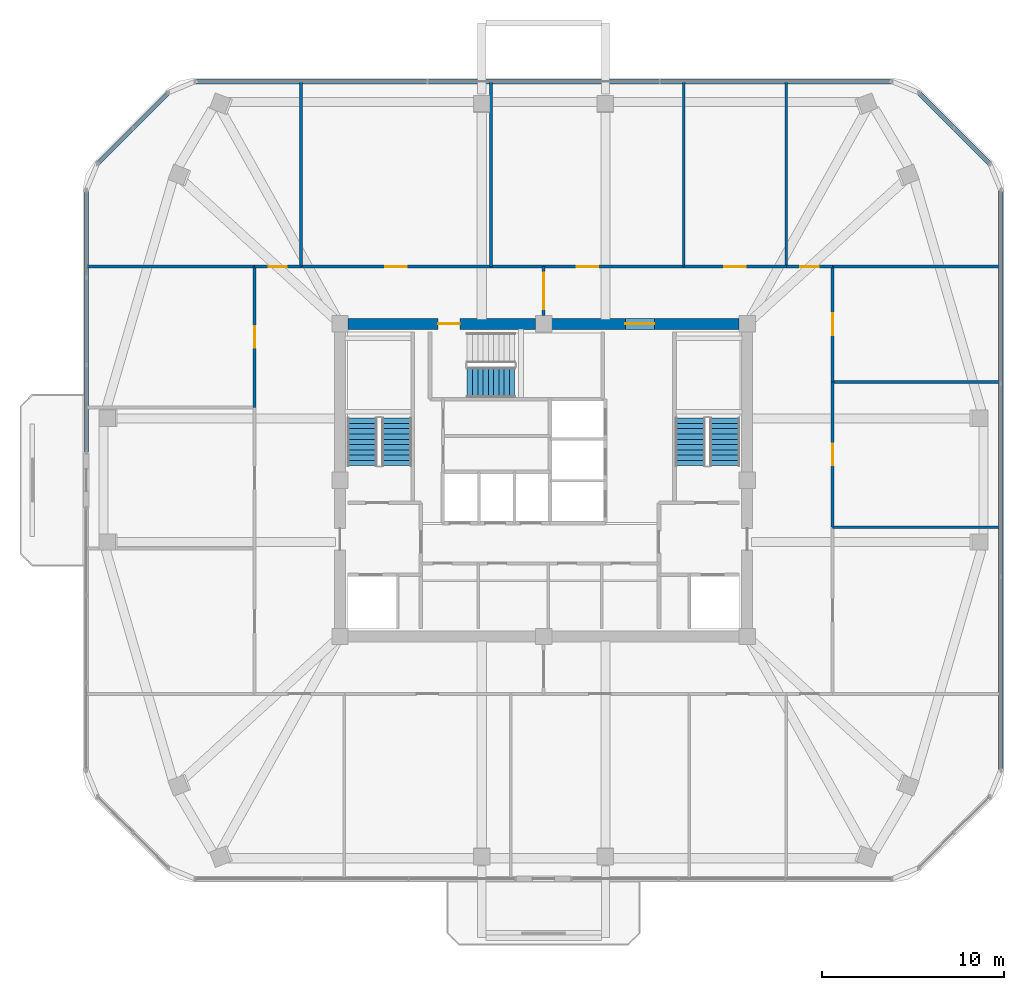
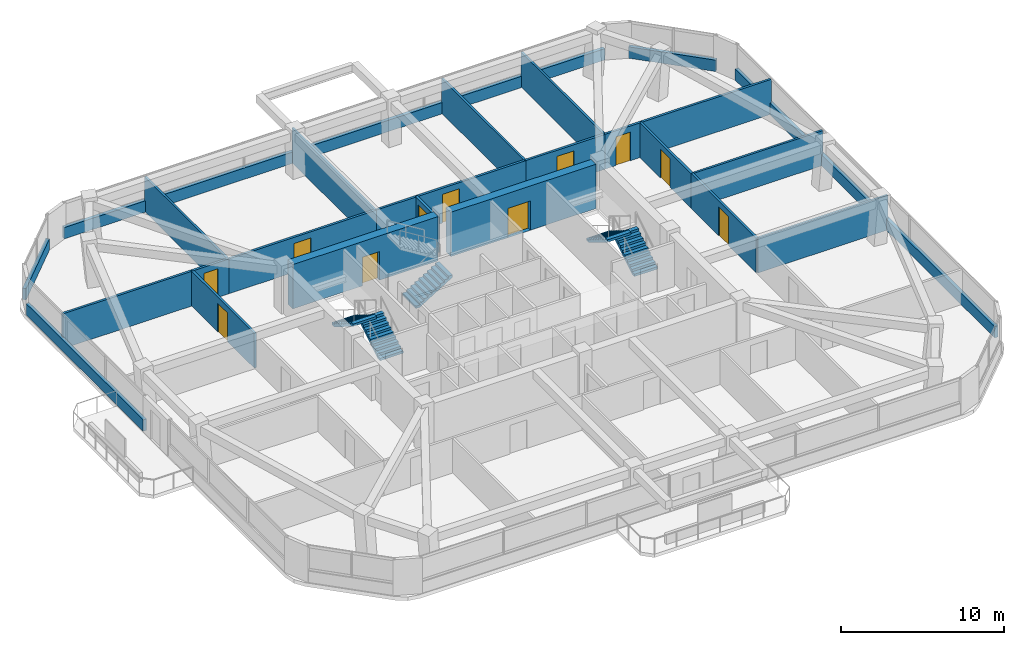
# One storey, part 10 of 13: 24 walls, 11 doors, 5 stair flights, 11 openings, 3 elements without a shape of their own.
"""IFC4 building model written with IfcOpenShell, lengths in metres."""

from ifc_helpers import new_model, si_unit, derived_unit, direction, frame, frame_2d, origin, place, context, subcontext, project, spatial, polyline, rectangle, outline, extrude, material, layer, layer_set, type_object, element, fill, aggregate, save


model = new_model("IFC4")

# Units and contexts
model_context = context("Model", 3, precision=1e-05, world=origin(), true_north=direction((0.0, 1.0)))
body_context = subcontext(model_context, "Body", "Model", "MODEL_VIEW")
ifc_project = project(units=[si_unit("LENGTHUNIT", "METRE"), si_unit("AREAUNIT", "SQUARE_METRE"), si_unit("VOLUMEUNIT", "CUBIC_METRE"), si_unit("PLANEANGLEUNIT", "RADIAN"), si_unit("MASSUNIT", "GRAM", prefix="KILO"), derived_unit("THERMALTRANSMITTANCEUNIT", [(si_unit("POWERUNIT", "WATT"), 1), (si_unit("LENGTHUNIT", "METRE"), -2), (si_unit("THERMODYNAMICTEMPERATUREUNIT", "KELVIN"), -1)])], contexts=[model_context])

# Site, building, storey
site_placement = place(None, origin())
site = spatial("IfcSite", under=ifc_project, at=site_placement, CompositionType="ELEMENT")
building_placement = place(site_placement, origin())
building = spatial("IfcBuilding", under=site, at=building_placement, Name="Koralith Skygarden Medical Center", CompositionType="ELEMENT")
storey_placement = place(building_placement, frame((0.0, 0.0, 199.97998046875)))
storey = spatial("IfcBuildingStorey", under=building, at=storey_placement, Name="L51", CompositionType="ELEMENT", Elevation=199.97998046875)

# Walls
ifc_material_1 = material(Name="Gypsum Board Partition")
ifc_layer_1 = layer(ifc_material_1, 0.14990234375)
ifc_layer_set_1 = layer_set([ifc_layer_1], Name="Gypsum Board Partition")
wall_type_1 = type_object("IfcWallType", Name="Clinical Acoustic Partition 150", PredefinedType="PARTITIONING", material=ifc_layer_set_1)
for number, where, z_axis, x_axis, name in (
    (1, (23.64990234375, 37.64990234375, 0.0), (0.0, 0.0, 1.0), (0.0, 1.0, 0.0), "L51 Clinical Acoustic Partition 150 W-PART-L51-N-01"),
    (2, (34.10693359375, 37.64990234375, 0.0), (0.0, 0.0, 1.0), (0.0, 1.0, 0.0), "L51 Clinical Acoustic Partition 150 W-PART-L51-N-02"),
    (3, (44.715087890625, 37.64990234375, 0.0), (0.0, 0.0, 1.0), (0.0, 1.0, 0.0), "L51 Clinical Acoustic Partition 150 W-PART-L51-N-03"),
    (4, (50.35009765625, 37.64990234375, 0.0), (0.0, 0.0, 1.0), (0.0, 1.0, 0.0), "L51 Clinical Acoustic Partition 150 W-PART-L51-N-04"),
):
    element("IfcWall", number, at=place(storey_placement, frame(where, z_axis=z_axis, x_axis=x_axis)), inside=storey, type_object=wall_type_1, Name=name, PredefinedType="PARTITIONING", context=body_context, shape_type="SweptSolid", body=[
        extrude(rectangle(XDim=10.156005859375, YDim=0.14990234375, at=frame_2d((5.078125, 0.0))), origin(), (0.0, 0.0, 1.0), 2.610107421875),
    ])
for number, where, z_axis, x_axis, name in (
    (5, (52.89990234375, 23.31494140625, 0.0), (0.0, 0.0, 1.0), (1.0, 0.0, 0.0), "L51 Clinical Acoustic Partition 150 W-PART-L51-E-01"),
    (6, (52.89990234375, 31.304931640625, 0.0), (0.0, 0.0, 1.0), (1.0, 0.0, 0.0), "L51 Clinical Acoustic Partition 150 W-PART-L51-E-02"),
):
    element("IfcWall", number, at=place(storey_placement, frame(where, z_axis=z_axis, x_axis=x_axis)), inside=storey, type_object=wall_type_1, Name=name, PredefinedType="PARTITIONING", context=body_context, shape_type="SweptSolid", body=[
        extrude(rectangle(XDim=9.22802734375, YDim=0.14990234375, at=frame_2d((4.614013671875, 0.0))), origin(), (0.0, 0.0, 1.0), 2.610107421875),
    ])
ifc_layer_2 = layer(ifc_material_1, 0.1650390625)
ifc_layer_set_2 = layer_set([ifc_layer_2], Name="Gypsum Board Partition")
wall_type_2 = type_object("IfcWallType", Name="Clinical Corridor Partition 165", PredefinedType="PARTITIONING", material=ifc_layer_set_2)
for number, where, z_axis, x_axis, name in (
    (7, (11.8720703125, 37.64990234375, 0.0), (0.0, 0.0, 1.0), (1.0, 0.0, 0.0), "L51 Clinical Corridor Partition 165 W-WB-L51-NW"),
    (8, (52.89990234375, 37.64990234375, 0.0), (0.0, 0.0, 1.0), (1.0, 0.0, 0.0), "L51 Clinical Corridor Partition 165 W-WB-L51-NE"),
):
    element("IfcWall", number, at=place(storey_placement, frame(where, z_axis=z_axis, x_axis=x_axis)), inside=storey, type_object=wall_type_2, Name=name, PredefinedType="PARTITIONING", context=body_context, shape_type="SweptSolid", body=[
        extrude(rectangle(XDim=9.22802734375, YDim=0.1650390625, at=frame_2d((4.614013671875, 0.0))), origin(), (0.0, 0.0, 1.0), 2.610107421875),
    ])

# Wall, opening, door
wall_1_placement = place(storey_placement, frame((21.10009765625, 37.64990234375, 0.0), z_axis=(0.0, 0.0, 1.0), x_axis=(1.0, 0.0, 0.0)))
wall_1 = element("IfcWall", 9, at=wall_1_placement, inside=storey, type_object=wall_type_2, Name="L51 Clinical Corridor Partition 165 W-CORR-L51-N-01", PredefinedType="PARTITIONING", context=body_context, shape_type="SweptSolid", body=[
    extrude(rectangle(XDim=2.5498046875, YDim=0.1650390625, at=frame_2d((1.27490234375, 0.0))), origin(), (0.0, 0.0, 1.0), 2.610107421875),
])
opening_1_placement = place(wall_1_placement, frame((0.77490234375, 0.0, 0.0)))
opening_1 = element("IfcOpeningElement", 10, at=opening_1_placement, cuts=wall_1, Name="Opening D-SUP", PredefinedType="OPENING", context=body_context, shape_type="SweptSolid", body=[
    extrude(rectangle(XDim=1.0, YDim=2.14990234375, at=frame_2d((0.5, 1.074951171875))), frame((0.0, 0.092529296875, 0.0), z_axis=(0.0, -1.0, 0.0), x_axis=(1.0, 0.0, 0.0)), (0.0, 0.0, 1.0), 0.18505859375),
])
ifc_material_2 = material(Name="Aluminium 6063-T6", Category="aluminium")
door_type_1 = type_object("IfcDoorType", Name="Clinical Support Door D-SUP 1000", OperationType="NOTDEFINED", PredefinedType="DOOR", material=ifc_material_2)
door_1_placement = place(opening_1_placement, origin())
door_1 = element("IfcDoor", 11, at=door_1_placement, inside=storey, type_object=door_type_1, Name="L51 Cardiology Fellows Office 01 Door", OperationType="SINGLE_SWING_RIGHT", OverallHeight=2.14990234375, OverallWidth=1.0, PredefinedType="DOOR", context=body_context, shape_type="SweptSolid", body=[
    extrude(rectangle(XDim=1.0, YDim=2.14990234375, at=frame_2d((0.5, 1.074951171875))), frame((0.0, 0.02490234375, 0.0), z_axis=(0.0, -1.0, 0.0), x_axis=(1.0, 0.0, 0.0)), (0.0, 0.0, 1.0), 0.050048828125),
])
fill(opening_1, door_1)

wall_2_placement = place(storey_placement, frame((23.64990234375, 37.64990234375, 0.0), z_axis=(0.0, 0.0, 1.0), x_axis=(1.0, 0.0, 0.0)))
wall_2 = element("IfcWall", 12, at=wall_2_placement, inside=storey, type_object=wall_type_2, Name="L51 Clinical Corridor Partition 165 W-CORR-L51-N-02", PredefinedType="PARTITIONING", context=body_context, shape_type="SweptSolid", body=[
    extrude(rectangle(XDim=10.45703125, YDim=0.1650390625, at=frame_2d((5.228515625, 0.0))), origin(), (0.0, 0.0, 1.0), 2.610107421875),
])
opening_2_placement = place(wall_2_placement, frame((4.62890625, 0.0, 0.0)))
opening_2 = element("IfcOpeningElement", 13, at=opening_2_placement, cuts=wall_2, Name="Opening D-CLN", PredefinedType="OPENING", context=body_context, shape_type="SweptSolid", body=[
    extrude(rectangle(XDim=1.199951171875, YDim=2.14990234375, at=frame_2d((0.60009765625, 1.074951171875))), frame((0.0, 0.092529296875, 0.0), z_axis=(0.0, -1.0, 0.0), x_axis=(1.0, 0.0, 0.0)), (0.0, 0.0, 1.0), 0.18505859375),
])
door_type_2 = type_object("IfcDoorType", Name="Clinical Corridor Door D-CLN 1200", OperationType="NOTDEFINED", PredefinedType="DOOR", material=ifc_material_2)
door_2_placement = place(opening_2_placement, origin())
door_2 = element("IfcDoor", 14, at=door_2_placement, inside=storey, type_object=door_type_2, Name="L51 Pacemaker Interrogation Exam Room 02 Door", OperationType="SINGLE_SWING_LEFT", OverallHeight=2.14990234375, OverallWidth=1.199951171875, PredefinedType="DOOR", context=body_context, shape_type="SweptSolid", body=[
    extrude(rectangle(XDim=1.199951171875, YDim=2.14990234375, at=frame_2d((0.60009765625, 1.074951171875))), frame((0.0, 0.02490234375, 0.0), z_axis=(0.0, -1.0, 0.0), x_axis=(1.0, 0.0, 0.0)), (0.0, 0.0, 1.0), 0.050048828125),
])
fill(opening_2, door_2)

wall_3_placement = place(storey_placement, frame((34.10693359375, 37.64990234375, 0.0), z_axis=(0.0, 0.0, 1.0), x_axis=(1.0, 0.0, 0.0)))
wall_3 = element("IfcWall", 15, at=wall_3_placement, inside=storey, type_object=wall_type_2, Name="L51 Clinical Corridor Partition 165 W-CORR-L51-N-03", PredefinedType="PARTITIONING", context=body_context, shape_type="SweptSolid", body=[
    extrude(rectangle(XDim=10.608154296875, YDim=0.1650390625, at=frame_2d((5.30419921875, 0.0))), origin(), (0.0, 0.0, 1.0), 2.610107421875),
])
opening_3_placement = place(wall_3_placement, frame((4.7041015625, 0.0, 0.0)))
opening_3 = element("IfcOpeningElement", 16, at=opening_3_placement, cuts=wall_3, Name="Opening D-CLN", PredefinedType="OPENING", context=body_context, shape_type="SweptSolid", body=[
    extrude(rectangle(XDim=1.199951171875, YDim=2.14990234375, at=frame_2d((0.60009765625, 1.074951171875))), frame((0.0, 0.092529296875, 0.0), z_axis=(0.0, -1.0, 0.0), x_axis=(1.0, 0.0, 0.0)), (0.0, 0.0, 1.0), 0.18505859375),
])
door_3_placement = place(opening_3_placement, origin())
door_3 = element("IfcDoor", 17, at=door_3_placement, inside=storey, type_object=door_type_2, Name="L51 Cardiac Stress Exercise Hall 03 Door", OperationType="SINGLE_SWING_RIGHT", OverallHeight=2.14990234375, OverallWidth=1.199951171875, PredefinedType="DOOR", context=body_context, shape_type="SweptSolid", body=[
    extrude(rectangle(XDim=1.199951171875, YDim=2.14990234375, at=frame_2d((0.60009765625, 1.074951171875))), frame((0.0, 0.02490234375, 0.0), z_axis=(0.0, -1.0, 0.0), x_axis=(1.0, 0.0, 0.0)), (0.0, 0.0, 1.0), 0.050048828125),
])
fill(opening_3, door_3)

wall_4_placement = place(storey_placement, frame((44.715087890625, 37.64990234375, 0.0), z_axis=(0.0, 0.0, 1.0), x_axis=(1.0, 0.0, 0.0)))
wall_4 = element("IfcWall", 18, at=wall_4_placement, inside=storey, type_object=wall_type_2, Name="L51 Clinical Corridor Partition 165 W-CORR-L51-N-04", PredefinedType="PARTITIONING", context=body_context, shape_type="SweptSolid", body=[
    extrude(rectangle(XDim=5.635009765625, YDim=0.1650390625, at=frame_2d((2.8173828125, 0.0))), origin(), (0.0, 0.0, 1.0), 2.610107421875),
])
opening_4_placement = place(wall_4_placement, frame((2.217041015625, 0.0, 0.0)))
opening_4 = element("IfcOpeningElement", 19, at=opening_4_placement, cuts=wall_4, Name="Opening D-CLN", PredefinedType="OPENING", context=body_context, shape_type="SweptSolid", body=[
    extrude(rectangle(XDim=1.199951171875, YDim=2.14990234375, at=frame_2d((0.60009765625, 1.074951171875))), frame((0.0, 0.092529296875, 0.0), z_axis=(0.0, -1.0, 0.0), x_axis=(1.0, 0.0, 0.0)), (0.0, 0.0, 1.0), 0.18505859375),
])
door_4_placement = place(opening_4_placement, origin())
door_4 = element("IfcDoor", 20, at=door_4_placement, inside=storey, type_object=door_type_2, Name="L51 Telemetry Holter Store 04 Door", OperationType="SINGLE_SWING_LEFT", OverallHeight=2.14990234375, OverallWidth=1.199951171875, PredefinedType="DOOR", context=body_context, shape_type="SweptSolid", body=[
    extrude(rectangle(XDim=1.199951171875, YDim=2.14990234375, at=frame_2d((0.60009765625, 1.074951171875))), frame((0.0, 0.02490234375, 0.0), z_axis=(0.0, -1.0, 0.0), x_axis=(1.0, 0.0, 0.0)), (0.0, 0.0, 1.0), 0.050048828125),
])
fill(opening_4, door_4)

wall_5_placement = place(storey_placement, frame((50.35009765625, 37.64990234375, 0.0), z_axis=(0.0, 0.0, 1.0), x_axis=(1.0, 0.0, 0.0)))
wall_5 = element("IfcWall", 21, at=wall_5_placement, inside=storey, type_object=wall_type_2, Name="L51 Clinical Corridor Partition 165 W-CORR-L51-N-05", PredefinedType="PARTITIONING", context=body_context, shape_type="SweptSolid", body=[
    extrude(rectangle(XDim=2.5498046875, YDim=0.1650390625, at=frame_2d((1.27490234375, 0.0))), origin(), (0.0, 0.0, 1.0), 2.610107421875),
])
opening_5_placement = place(wall_5_placement, frame((0.77490234375, 0.0, 0.0)))
opening_5 = element("IfcOpeningElement", 22, at=opening_5_placement, cuts=wall_5, Name="Opening D-SUP", PredefinedType="OPENING", context=body_context, shape_type="SweptSolid", body=[
    extrude(rectangle(XDim=1.0, YDim=2.14990234375, at=frame_2d((0.5, 1.074951171875))), frame((0.0, 0.092529296875, 0.0), z_axis=(0.0, -1.0, 0.0), x_axis=(1.0, 0.0, 0.0)), (0.0, 0.0, 1.0), 0.18505859375),
])
door_5_placement = place(opening_5_placement, origin())
door_5 = element("IfcDoor", 23, at=door_5_placement, inside=storey, type_object=door_type_1, Name="L51 Cardiology Fellows Office 05 Door", OperationType="SINGLE_SWING_RIGHT", OverallHeight=2.14990234375, OverallWidth=1.0, PredefinedType="DOOR", context=body_context, shape_type="SweptSolid", body=[
    extrude(rectangle(XDim=1.0, YDim=2.14990234375, at=frame_2d((0.5, 1.074951171875))), frame((0.0, 0.02490234375, 0.0), z_axis=(0.0, -1.0, 0.0), x_axis=(1.0, 0.0, 0.0)), (0.0, 0.0, 1.0), 0.050048828125),
])
fill(opening_5, door_5)

wall_6_placement = place(storey_placement, frame((21.10009765625, 29.89501953125, 0.0), z_axis=(0.0, 0.0, 1.0), x_axis=(0.0, 1.0, 0.0)))
wall_6 = element("IfcWall", 24, at=wall_6_placement, inside=storey, type_object=wall_type_2, Name="L51 Clinical Corridor Partition 165 W-CORR-L51-W-03", PredefinedType="PARTITIONING", context=body_context, shape_type="SweptSolid", body=[
    extrude(rectangle(XDim=7.7548828125, YDim=0.1650390625, at=frame_2d((3.87744140625, 0.0))), origin(), (0.0, 0.0, 1.0), 2.610107421875),
])
opening_6_placement = place(wall_6_placement, frame((3.277099609375, 0.0, 0.0)))
opening_6 = element("IfcOpeningElement", 25, at=opening_6_placement, cuts=wall_6, Name="Opening D-CLN", PredefinedType="OPENING", context=body_context, shape_type="SweptSolid", body=[
    extrude(rectangle(XDim=1.199951171875, YDim=2.14990234375, at=frame_2d((0.60009765625, 1.074951171875))), frame((0.0, 0.092529296875, 0.0), z_axis=(0.0, -1.0, 0.0), x_axis=(1.0, 0.0, 0.0)), (0.0, 0.0, 1.0), 0.18505859375),
])
door_6_placement = place(opening_6_placement, frame((1.199951171875, 0.0, 0.0), z_axis=(0.0, 0.0, 1.0), x_axis=(-1.0, 0.0, 0.0)))
door_6 = element("IfcDoor", 26, at=door_6_placement, inside=storey, type_object=door_type_2, Name="L51 Cardiac Stress Exercise Hall 13 Door", OperationType="SINGLE_SWING_RIGHT", OverallHeight=2.14990234375, OverallWidth=1.199951171875, PredefinedType="DOOR", context=body_context, shape_type="SweptSolid", body=[
    extrude(rectangle(XDim=1.199951171875, YDim=2.14990234375, at=frame_2d((0.60009765625, 1.074951171875))), frame((0.0, 0.02490234375, 0.0), z_axis=(0.0, -1.0, 0.0), x_axis=(1.0, 0.0, 0.0)), (0.0, 0.0, 1.0), 0.050048828125),
])
fill(opening_6, door_6)

wall_7_placement = place(storey_placement, frame((52.89990234375, 23.31494140625, 0.0), z_axis=(0.0, 0.0, 1.0), x_axis=(0.0, 1.0, 0.0)))
wall_7 = element("IfcWall", 27, at=wall_7_placement, inside=storey, type_object=wall_type_2, Name="L51 Clinical Corridor Partition 165 W-CORR-L51-E-02", PredefinedType="PARTITIONING", context=body_context, shape_type="SweptSolid", body=[
    extrude(rectangle(XDim=7.989990234375, YDim=0.1650390625, at=frame_2d((3.9951171875, 0.0))), origin(), (0.0, 0.0, 1.0), 2.610107421875),
])
opening_7_placement = place(wall_7_placement, frame((3.39501953125, 0.0, 0.0)))
opening_7 = element("IfcOpeningElement", 28, at=opening_7_placement, cuts=wall_7, Name="Opening D-CLN", PredefinedType="OPENING", context=body_context, shape_type="SweptSolid", body=[
    extrude(rectangle(XDim=1.199951171875, YDim=2.14990234375, at=frame_2d((0.60009765625, 1.074951171875))), frame((0.0, 0.092529296875, 0.0), z_axis=(0.0, -1.0, 0.0), x_axis=(1.0, 0.0, 0.0)), (0.0, 0.0, 1.0), 0.18505859375),
])
door_7_placement = place(opening_7_placement, origin())
door_7 = element("IfcDoor", 29, at=door_7_placement, inside=storey, type_object=door_type_2, Name="L51 Cardiology Fellows Office 15 Door", OperationType="SINGLE_SWING_RIGHT", OverallHeight=2.14990234375, OverallWidth=1.199951171875, PredefinedType="DOOR", context=body_context, shape_type="SweptSolid", body=[
    extrude(rectangle(XDim=1.199951171875, YDim=2.14990234375, at=frame_2d((0.60009765625, 1.074951171875))), frame((0.0, 0.02490234375, 0.0), z_axis=(0.0, -1.0, 0.0), x_axis=(1.0, 0.0, 0.0)), (0.0, 0.0, 1.0), 0.050048828125),
])
fill(opening_7, door_7)

wall_8_placement = place(storey_placement, frame((52.89990234375, 31.304931640625, 0.0), z_axis=(0.0, 0.0, 1.0), x_axis=(0.0, 1.0, 0.0)))
wall_8 = element("IfcWall", 30, at=wall_8_placement, inside=storey, type_object=wall_type_2, Name="L51 Clinical Corridor Partition 165 W-CORR-L51-E-03", PredefinedType="PARTITIONING", context=body_context, shape_type="SweptSolid", body=[
    extrude(rectangle(XDim=6.344970703125, YDim=0.1650390625, at=frame_2d((3.17236328125, 0.0))), origin(), (0.0, 0.0, 1.0), 2.610107421875),
])
opening_8_placement = place(wall_8_placement, frame((2.572021484375, 0.0, 0.0)))
opening_8 = element("IfcOpeningElement", 31, at=opening_8_placement, cuts=wall_8, Name="Opening D-CLN", PredefinedType="OPENING", context=body_context, shape_type="SweptSolid", body=[
    extrude(rectangle(XDim=1.199951171875, YDim=2.14990234375, at=frame_2d((0.60009765625, 1.074951171875))), frame((0.0, 0.092529296875, 0.0), z_axis=(0.0, -1.0, 0.0), x_axis=(1.0, 0.0, 0.0)), (0.0, 0.0, 1.0), 0.18505859375),
])
door_8_placement = place(opening_8_placement, origin())
door_8 = element("IfcDoor", 32, at=door_8_placement, inside=storey, type_object=door_type_2, Name="L51 Pacemaker Interrogation Exam Room 16 Door", OperationType="SINGLE_SWING_LEFT", OverallHeight=2.14990234375, OverallWidth=1.199951171875, PredefinedType="DOOR", context=body_context, shape_type="SweptSolid", body=[
    extrude(rectangle(XDim=1.199951171875, YDim=2.14990234375, at=frame_2d((0.60009765625, 1.074951171875))), frame((0.0, 0.02490234375, 0.0), z_axis=(0.0, -1.0, 0.0), x_axis=(1.0, 0.0, 0.0)), (0.0, 0.0, 1.0), 0.050048828125),
])
fill(opening_8, door_8)

ifc_layer_3 = layer(ifc_material_1, 0.179931640625)
ifc_layer_set_3 = layer_set([ifc_layer_3], Name="Gypsum Board Partition")
wall_type_3 = type_object("IfcWallType", Name="Group I-2 Smoke Barrier Wall 180", PredefinedType="PARTITIONING", material=ifc_layer_set_3)
wall_9_placement = place(storey_placement, frame((37.0, 34.949951171875, 0.0), z_axis=(0.0, 0.0, 1.0), x_axis=(0.0, 1.0, 0.0)))
wall_9 = element("IfcWall", 33, at=wall_9_placement, inside=storey, type_object=wall_type_3, Name="L51 Group I-2 Smoke Barrier Wall 180 W-SMK-L51-N", PredefinedType="PARTITIONING", context=body_context, shape_type="SweptSolid", body=[
    extrude(rectangle(XDim=2.699951171875, YDim=0.179931640625, at=frame_2d((1.35009765625, 0.0))), origin(), (0.0, 0.0, 1.0), 2.610107421875),
])
opening_9_placement = place(wall_9_placement, frame((0.35009765625, 0.0, 0.0)))
opening_9 = element("IfcOpeningElement", 34, at=opening_9_placement, cuts=wall_9, Name="Opening D-SMK", PredefinedType="OPENING", context=body_context, shape_type="SweptSolid", body=[
    extrude(rectangle(XDim=2.0, YDim=2.199951171875, at=frame_2d((1.0, 1.10009765625))), frame((0.0, 0.099853515625, 0.0), z_axis=(0.0, -1.0, 0.0), x_axis=(1.0, 0.0, 0.0)), (0.0, 0.0, 1.0), 0.199951171875),
])
ifc_material_3 = material(Name="Steel ASTM A500 Grade C", Category="steel")
door_type_3 = type_object("IfcDoorType", Name="Cross-Corridor Double Smoke Door FD60S 2000", OperationType="NOTDEFINED", PredefinedType="DOOR", material=ifc_material_3)
door_9_placement = place(opening_9_placement, origin())
door_9 = element("IfcDoor", 35, at=door_9_placement, inside=storey, type_object=door_type_3, Name="L51 N Smoke Compartment Cross-Corridor Door", OperationType="DOUBLE_DOOR_SINGLE_SWING", OverallHeight=2.199951171875, OverallWidth=2.0, PredefinedType="DOOR", context=body_context, shape_type="SweptSolid", body=[
    extrude(rectangle(XDim=2.0, YDim=2.199951171875, at=frame_2d((1.0, 1.10009765625))), frame((0.0, 0.02490234375, 0.0), z_axis=(0.0, -1.0, 0.0), x_axis=(1.0, 0.0, 0.0)), (0.0, 0.0, 1.0), 0.050048828125),
])
fill(opening_9, door_9)

# Walls
ifc_material_4 = material(Name="Warm Oolitic Limestone Cladding", Category="masonry")
ifc_layer_4 = layer(ifc_material_4, 0.239990234375)
ifc_layer_set_4 = layer_set([ifc_layer_4], Name="Warm Oolitic Limestone Cladding")
wall_type_4 = type_object("IfcWallType", Name="Limestone Spandrel Sill Backup Wall 240", PredefinedType="SOLIDWALL", material=ifc_layer_set_4)
wall_10_placement = place(storey_placement, frame((62.14794921875, 9.948974609375, 0.0), z_axis=(0.0, 0.0, 1.0), x_axis=(0.0, 1.0, 0.0)))
element("IfcWall", 36, at=wall_10_placement, inside=storey, type_object=wall_type_4, Name="L51 Sill Spandrel E", PredefinedType="SOLIDWALL", context=body_context, shape_type="SweptSolid", body=[
    extrude(rectangle(XDim=31.902099609375, YDim=0.239990234375, at=frame_2d((15.951171875, 0.0))), origin(), (0.0, 0.0, 1.0), 0.85009765625),
])
wall_11_placement = place(storey_placement, frame((61.547119140625, 43.302001953125, 0.0), z_axis=(0.0, 0.0, 1.0), x_axis=(-0.707106781187, 0.707106781187, 0.0)))
element("IfcWall", 37, at=wall_11_placement, inside=storey, type_object=wall_type_4, Name="L51 Sill Spandrel NE", PredefinedType="SOLIDWALL", context=body_context, shape_type="SweptSolid", body=[
    extrude(rectangle(XDim=5.548095703125, YDim=0.239990234375, at=frame_2d((2.77392578125, 0.0))), origin(), (0.0, 0.0, 1.0), 0.85009765625),
])
wall_12_placement = place(storey_placement, frame((56.173095703125, 47.825927734375, 0.0), z_axis=(0.0, 0.0, 1.0), x_axis=(-1.0, 0.0, 0.0)))
element("IfcWall", 38, at=wall_12_placement, inside=storey, type_object=wall_type_4, Name="L51 Sill Spandrel N", PredefinedType="SOLIDWALL", context=body_context, shape_type="SweptSolid", body=[
    extrude(rectangle(XDim=38.34619140625, YDim=0.239990234375, at=frame_2d((19.173095703125, 0.0))), origin(), (0.0, 0.0, 1.0), 0.85009765625),
])
wall_13_placement = place(storey_placement, frame((16.3759765625, 47.22509765625, 0.0), z_axis=(0.0, 0.0, 1.0), x_axis=(-0.707106781187, -0.707106781187, 0.0)))
element("IfcWall", 39, at=wall_13_placement, inside=storey, type_object=wall_type_4, Name="L51 Sill Spandrel NW", PredefinedType="SOLIDWALL", context=body_context, shape_type="SweptSolid", body=[
    extrude(rectangle(XDim=5.548095703125, YDim=0.239990234375, at=frame_2d((2.77392578125, 0.0))), origin(), (0.0, 0.0, 1.0), 0.85009765625),
])
wall_14_placement = place(storey_placement, frame((11.85205078125, 41.85107421875, 0.0), z_axis=(0.0, 0.0, 1.0), x_axis=(0.0, -1.0, 0.0)))
element("IfcWall", 40, at=wall_14_placement, inside=storey, type_object=wall_type_4, Name="L51 Sill Spandrel W-L", PredefinedType="SOLIDWALL", context=body_context, shape_type="SweptSolid", body=[
    extrude(rectangle(XDim=14.41015625, YDim=0.239990234375, at=frame_2d((7.205078125, 0.0))), origin(), (0.0, 0.0, 1.0), 0.85009765625),
])

# Wall, opening, door
ifc_material_5 = material(Name="Concrete C55/67", Category="concrete")
ifc_layer_5 = layer(ifc_material_5, 0.60009765625)
ifc_layer_set_5 = layer_set([ifc_layer_5], Name="Concrete C55/67")
wall_type_5 = type_object("IfcWallType", Name="Upper Core Shear Wall 600", PredefinedType="SHEAR", material=ifc_layer_set_5)
wall_15_placement = place(storey_placement, frame((47.7548828125, 34.5, 0.0), z_axis=(0.0, 0.0, 1.0), x_axis=(-1.0, 0.0, 0.0)))
wall_15 = element("IfcWall", 41, at=wall_15_placement, inside=storey, type_object=wall_type_5, Name="L51 Core Shear Wall Segment 5", PredefinedType="SHEAR", context=body_context, shape_type="SweptSolid", body=[
    extrude(rectangle(XDim=10.309814453125, YDim=0.60009765625, at=frame_2d((5.15478515625, 0.0))), origin(), (0.0, 0.0, 1.0), 3.320068359375),
])
opening_10_placement = place(wall_15_placement, frame((4.655029296875, 0.0, 0.0)))
opening_10 = element("IfcOpeningElement", 42, at=opening_10_placement, cuts=wall_15, Name="Opening D-DBL", PredefinedType="OPENING", context=body_context, shape_type="SweptSolid", body=[
    extrude(rectangle(XDim=1.60009765625, YDim=2.199951171875, at=frame_2d((0.800048828125, 1.10009765625))), frame((0.0, 0.31005859375, 0.0), z_axis=(0.0, -1.0, 0.0), x_axis=(1.0, 0.0, 0.0)), (0.0, 0.0, 1.0), 0.6201171875),
])
door_type_4 = type_object("IfcDoorType", Name="Double Clinical Suite Door D-DBL 1600", OperationType="NOTDEFINED", PredefinedType="DOOR", material=ifc_material_2)
door_10_placement = place(opening_10_placement, frame((1.60009765625, 0.0, 0.0), z_axis=(0.0, 0.0, 1.0), x_axis=(-1.0, 0.0, 0.0)))
door_10 = element("IfcDoor", 43, at=door_10_placement, inside=storey, type_object=door_type_4, Name="L51 North-East Corridor to Elevator Lobby Door", OperationType="DOUBLE_DOOR_SINGLE_SWING", OverallHeight=2.199951171875, OverallWidth=1.60009765625, PredefinedType="DOOR", context=body_context, shape_type="SweptSolid", body=[
    extrude(rectangle(XDim=1.60009765625, YDim=2.199951171875, at=frame_2d((0.800048828125, 1.10009765625))), frame((0.0, 0.02490234375, 0.0), z_axis=(0.0, -1.0, 0.0), x_axis=(1.0, 0.0, 0.0)), (0.0, 0.0, 1.0), 0.050048828125),
])
fill(opening_10, door_10)

wall_16_placement = place(storey_placement, frame((36.554931640625, 34.5, 0.0), z_axis=(0.0, 0.0, 1.0), x_axis=(-1.0, 0.0, 0.0)))
wall_16 = element("IfcWall", 44, at=wall_16_placement, inside=storey, type_object=wall_type_5, Name="L51 Core Shear Wall Segment 6", PredefinedType="SHEAR", context=body_context, shape_type="SweptSolid", body=[
    extrude(rectangle(XDim=10.309814453125, YDim=0.60009765625, at=frame_2d((5.15478515625, 0.0))), origin(), (0.0, 0.0, 1.0), 3.320068359375),
])
opening_11_placement = place(wall_16_placement, frame((4.155029296875, 0.0, 0.0)))
opening_11 = element("IfcOpeningElement", 45, at=opening_11_placement, cuts=wall_16, Name="Opening D-ST60", PredefinedType="OPENING", context=body_context, shape_type="SweptSolid", body=[
    extrude(rectangle(XDim=1.199951171875, YDim=2.14990234375, at=frame_2d((0.60009765625, 1.074951171875))), frame((0.0, 0.31005859375, 0.0), z_axis=(0.0, -1.0, 0.0), x_axis=(1.0, 0.0, 0.0)), (0.0, 0.0, 1.0), 0.6201171875),
])
door_type_5 = type_object("IfcDoorType", Name="Smokeproof Stair Fire Door FD60S 1200", OperationType="NOTDEFINED", PredefinedType="DOOR", material=ifc_material_3)
door_11_placement = place(opening_11_placement, frame((1.199951171875, 0.0, 0.0), z_axis=(0.0, 0.0, 1.0), x_axis=(-1.0, 0.0, 0.0)))
door_11 = element("IfcDoor", 46, at=door_11_placement, inside=storey, type_object=door_type_5, Name="L51 Exit Stair ST3 Fire Door", OperationType="SINGLE_SWING_LEFT", OverallHeight=2.14990234375, OverallWidth=1.199951171875, PredefinedType="DOOR", context=body_context, shape_type="SweptSolid", body=[
    extrude(rectangle(XDim=1.199951171875, YDim=2.14990234375, at=frame_2d((0.60009765625, 1.074951171875))), frame((0.0, 0.02490234375, 0.0), z_axis=(0.0, -1.0, 0.0), x_axis=(1.0, 0.0, 0.0)), (0.0, 0.0, 1.0), 0.050048828125),
])
fill(opening_11, door_11)

# Stair, stair flights
ifc_material_6 = material(Name="Concrete C45/55", Category="concrete")
stair_type = type_object("IfcStairType", Name="Core Exit Dogleg Concrete Stair", PredefinedType="HALF_TURN_STAIR", material=ifc_material_6)
stair_1_placement = place(storey_placement, origin())
stair_1 = element("IfcStair", 47, at=stair_1_placement, inside=storey, type_object=stair_type, Name="L51 Smokeproof Exit Stair ST1", PredefinedType="HALF_TURN_STAIR")
stair_flight_type = type_object("IfcStairFlightType", Name="Core Exit Concrete Stair Flight 1650", PredefinedType="STRAIGHT", material=ifc_material_6)
stair_flight_1_placement = place(storey_placement, frame((28.925048828125, 26.699951171875, 0.0), z_axis=(0.0, 0.0, 1.0), x_axis=(0.0, 1.0, 0.0)))
stair_flight_1 = element("IfcStairFlight", 48, at=stair_flight_1_placement, type_object=stair_flight_type, Name="ST1 flight 1", NumberOfRisers=10, NumberOfTreads=9, PredefinedType="STRAIGHT", RiserHeight=0.18, TreadLength=0.29, context=body_context, shape_type="SweptSolid", body=[
    extrude(outline(polyline([(0.0, 0.0), (0.0, 0.179931640625), (0.2900390625, 0.179931640625), (0.2900390625, 0.360107421875), (0.580078125, 0.360107421875), (0.580078125, 0.5400390625), (0.8701171875, 0.5400390625), (0.8701171875, 0.719970703125), (1.159912109375, 0.719970703125), (1.159912109375, 0.89990234375), (1.449951171875, 0.89990234375), (1.449951171875, 1.080078125), (1.739990234375, 1.080078125), (1.739990234375, 1.260009765625), (2.030029296875, 1.260009765625), (2.030029296875, 1.43994140625), (2.320068359375, 1.43994140625), (2.320068359375, 1.6201171875), (2.610107421875, 1.6201171875), (2.610107421875, 1.800048828125), (2.610107421875, 1.443603515625), (0.2841796875, 0.0), (0.0, 0.0)])), frame((0.0, 0.824951171875, 0.0), z_axis=(0.0, -1.0, 0.0), x_axis=(1.0, 0.0, 0.0)), (0.0, 0.0, 1.0), 1.64990234375),
])
stair_flight_2_placement = place(storey_placement, frame((27.02490234375, 29.31005859375, 1.800048828125), z_axis=(0.0, 0.0, 1.0), x_axis=(0.0, -1.0, 0.0)))
stair_flight_2 = element("IfcStairFlight", 49, at=stair_flight_2_placement, type_object=stair_flight_type, Name="ST1 flight 2", NumberOfRisers=10, NumberOfTreads=9, PredefinedType="STRAIGHT", RiserHeight=0.18, TreadLength=0.29, context=body_context, shape_type="SweptSolid", body=[
    extrude(outline(polyline([(0.0, 0.0), (0.0, 0.179931640625), (0.2900390625, 0.179931640625), (0.2900390625, 0.360107421875), (0.580078125, 0.360107421875), (0.580078125, 0.5400390625), (0.8701171875, 0.5400390625), (0.8701171875, 0.719970703125), (1.159912109375, 0.719970703125), (1.159912109375, 0.89990234375), (1.449951171875, 0.89990234375), (1.449951171875, 1.080078125), (1.739990234375, 1.080078125), (1.739990234375, 1.260009765625), (2.030029296875, 1.260009765625), (2.030029296875, 1.43994140625), (2.320068359375, 1.43994140625), (2.320068359375, 1.6201171875), (2.610107421875, 1.6201171875), (2.610107421875, 1.800048828125), (2.610107421875, 1.443603515625), (0.2841796875, 0.0), (0.0, 0.0)])), frame((0.0, 0.824951171875, 0.0), z_axis=(0.0, -1.0, 0.0), x_axis=(1.0, 0.0, 0.0)), (0.0, 0.0, 1.0), 1.64990234375),
])
aggregate(stair_1, [stair_flight_1, stair_flight_2])

stair_2_placement = place(storey_placement, origin())
stair_2 = element("IfcStair", 50, at=stair_2_placement, inside=storey, type_object=stair_type, Name="L51 Smokeproof Exit Stair ST2", PredefinedType="HALF_TURN_STAIR")
stair_flight_3_placement = place(storey_placement, frame((46.97509765625, 26.699951171875, 0.0), z_axis=(0.0, 0.0, 1.0), x_axis=(0.0, 1.0, 0.0)))
stair_flight_3 = element("IfcStairFlight", 51, at=stair_flight_3_placement, type_object=stair_flight_type, Name="ST2 flight 1", NumberOfRisers=10, NumberOfTreads=9, PredefinedType="STRAIGHT", RiserHeight=0.18, TreadLength=0.29, context=body_context, shape_type="SweptSolid", body=[
    extrude(outline(polyline([(0.0, 0.0), (0.0, 0.179931640625), (0.2900390625, 0.179931640625), (0.2900390625, 0.360107421875), (0.580078125, 0.360107421875), (0.580078125, 0.5400390625), (0.8701171875, 0.5400390625), (0.8701171875, 0.719970703125), (1.159912109375, 0.719970703125), (1.159912109375, 0.89990234375), (1.449951171875, 0.89990234375), (1.449951171875, 1.080078125), (1.739990234375, 1.080078125), (1.739990234375, 1.260009765625), (2.030029296875, 1.260009765625), (2.030029296875, 1.43994140625), (2.320068359375, 1.43994140625), (2.320068359375, 1.6201171875), (2.610107421875, 1.6201171875), (2.610107421875, 1.800048828125), (2.610107421875, 1.443603515625), (0.2841796875, 0.0), (0.0, 0.0)])), frame((0.0, 0.824951171875, 0.0), z_axis=(0.0, -1.0, 0.0), x_axis=(1.0, 0.0, 0.0)), (0.0, 0.0, 1.0), 1.64990234375),
])
stair_flight_4_placement = place(storey_placement, frame((45.074951171875, 29.31005859375, 1.800048828125), z_axis=(0.0, 0.0, 1.0), x_axis=(0.0, -1.0, 0.0)))
stair_flight_4 = element("IfcStairFlight", 52, at=stair_flight_4_placement, type_object=stair_flight_type, Name="ST2 flight 2", NumberOfRisers=10, NumberOfTreads=9, PredefinedType="STRAIGHT", RiserHeight=0.18, TreadLength=0.29, context=body_context, shape_type="SweptSolid", body=[
    extrude(outline(polyline([(0.0, 0.0), (0.0, 0.179931640625), (0.2900390625, 0.179931640625), (0.2900390625, 0.360107421875), (0.580078125, 0.360107421875), (0.580078125, 0.5400390625), (0.8701171875, 0.5400390625), (0.8701171875, 0.719970703125), (1.159912109375, 0.719970703125), (1.159912109375, 0.89990234375), (1.449951171875, 0.89990234375), (1.449951171875, 1.080078125), (1.739990234375, 1.080078125), (1.739990234375, 1.260009765625), (2.030029296875, 1.260009765625), (2.030029296875, 1.43994140625), (2.320068359375, 1.43994140625), (2.320068359375, 1.6201171875), (2.610107421875, 1.6201171875), (2.610107421875, 1.800048828125), (2.610107421875, 1.443603515625), (0.2841796875, 0.0), (0.0, 0.0)])), frame((0.0, 0.824951171875, 0.0), z_axis=(0.0, -1.0, 0.0), x_axis=(1.0, 0.0, 0.0)), (0.0, 0.0, 1.0), 1.64990234375),
])
aggregate(stair_2, [stair_flight_3, stair_flight_4])

# Stair, stair flight
stair_3_placement = place(storey_placement, origin())
stair_3 = element("IfcStair", 53, at=stair_3_placement, inside=storey, type_object=stair_type, Name="L51 Smokeproof Exit Stair ST3", PredefinedType="HALF_TURN_STAIR")
stair_flight_5_placement = place(storey_placement, frame((32.800048828125, 31.27490234375, 0.0), z_axis=(0.0, 0.0, 1.0), x_axis=(1.0, 0.0, 0.0)))
stair_flight_5 = element("IfcStairFlight", 54, at=stair_flight_5_placement, type_object=stair_flight_type, Name="ST3 flight 1", NumberOfRisers=10, NumberOfTreads=9, PredefinedType="STRAIGHT", RiserHeight=0.18, TreadLength=0.29, context=body_context, shape_type="SweptSolid", body=[
    extrude(outline(polyline([(0.0, 0.0), (0.0, 0.179931640625), (0.2900390625, 0.179931640625), (0.2900390625, 0.360107421875), (0.580078125, 0.360107421875), (0.580078125, 0.5400390625), (0.8701171875, 0.5400390625), (0.8701171875, 0.719970703125), (1.159912109375, 0.719970703125), (1.159912109375, 0.89990234375), (1.449951171875, 0.89990234375), (1.449951171875, 1.080078125), (1.739990234375, 1.080078125), (1.739990234375, 1.260009765625), (2.030029296875, 1.260009765625), (2.030029296875, 1.43994140625), (2.320068359375, 1.43994140625), (2.320068359375, 1.6201171875), (2.610107421875, 1.6201171875), (2.610107421875, 1.800048828125), (2.610107421875, 1.443603515625), (0.2841796875, 0.0), (0.0, 0.0)])), frame((0.0, 0.824951171875, 0.0), z_axis=(0.0, -1.0, 0.0), x_axis=(1.0, 0.0, 0.0)), (0.0, 0.0, 1.0), 1.64990234375),
])
aggregate(stair_3, [stair_flight_5])

save(model, "model.ifc")
